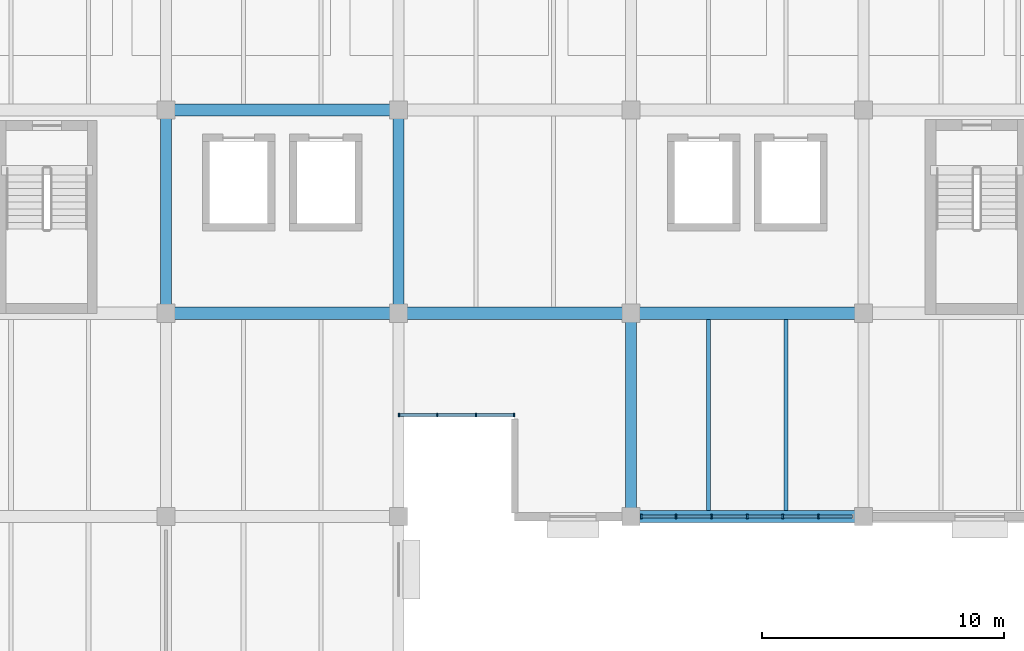
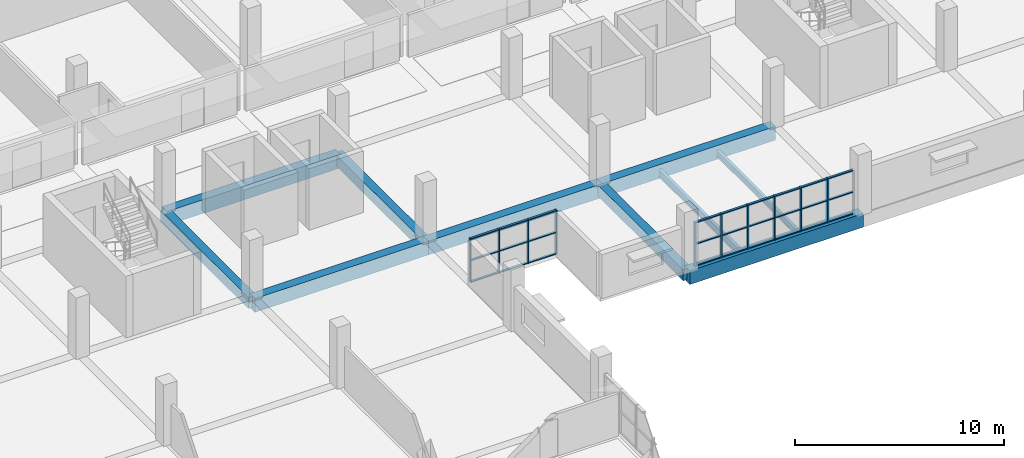
# One storey, part 80 of 147: 37 members, 10 beams, 2 elements without a shape of their own.
"""IFC4 building model written with IfcOpenShell, lengths in metres."""

from ifc_helpers import new_model, si_unit, direction, frame, origin, origin_2d, place, context, subcontext, project, spatial, rectangle, i_section, extrude, material, material_profile, profile_set, type_object, element, aggregate, save


model = new_model("IFC4")

# Units and contexts
model_context = context("Model", 3, precision=1e-05, world=origin(), true_north=direction((0.0, 1.0)))
body_context = subcontext(model_context, "Body", "Model", "MODEL_VIEW")
ifc_project = project(units=[si_unit("LENGTHUNIT", "METRE"), si_unit("AREAUNIT", "SQUARE_METRE"), si_unit("VOLUMEUNIT", "CUBIC_METRE"), si_unit("PLANEANGLEUNIT", "RADIAN"), si_unit("MASSUNIT", "GRAM", prefix="KILO")], contexts=[model_context])

# Site, building, storey
site_placement = place(None, origin())
site = spatial("IfcSite", under=ifc_project, at=site_placement, CompositionType="ELEMENT")
building_placement = place(site_placement, origin())
building = spatial("IfcBuilding", under=site, at=building_placement, Name="Oolite Switchyard Hospital", CompositionType="ELEMENT")
storey_placement = place(building_placement, frame((0.0, 0.0, 9.89990234375)))
storey = spatial("IfcBuildingStorey", under=building, at=storey_placement, Name="L02", CompositionType="ELEMENT", Elevation=9.89990234375)

# Beams
ifc_material_1 = material(Name="Concrete C40/50", Category="concrete")
ifc_material_profile_1 = material_profile(ifc_material_1, rectangle(XDim=0.449951171875, YDim=0.64990234375, at=origin_2d()), Name="RCB450X650")
ifc_profile_set_1 = profile_set([ifc_material_profile_1], Name="Concrete C40/50")
beam_type_1 = type_object("IfcBeamType", Name="BM-RC450X650", PredefinedType="BEAM", material=ifc_profile_set_1)
for number, where, z_axis, x_axis, name in (
    (1, (163.199951171875, 109.199951171875, -0.324951171875), (0.0, 1.0, 0.0), (-1.0, 0.0, 0.0), "L02 Y-Girder 1451"),
    (2, (172.800048828125, 109.199951171875, -0.324951171875), (0.0, 1.0, 0.0), (-1.0, 0.0, 0.0), "L02 Y-Girder 1462"),
):
    element("IfcBeam", number, at=place(storey_placement, frame(where, z_axis=z_axis, x_axis=x_axis)), inside=storey, type_object=beam_type_1, Name=name, PredefinedType="BEAM", context=body_context, shape_type="SweptSolid", body=[
        extrude(rectangle(XDim=0.449951171875, YDim=0.64990234375, at=origin_2d()), origin(), (0.0, 0.0, 1.0), 8.400146484375),
    ])
beam_1_placement = place(storey_placement, frame((182.39990234375, 100.800048828125, -0.324951171875), z_axis=(0.0, 1.0, 0.0), x_axis=(-1.0, 0.0, 0.0)))
element("IfcBeam", 3, at=beam_1_placement, inside=storey, type_object=beam_type_1, Name="L02 Y-Girder 1475", PredefinedType="BEAM", context=body_context, shape_type="SweptSolid", body=[
    extrude(rectangle(XDim=0.449951171875, YDim=0.64990234375, at=origin_2d()), origin(), (0.0, 0.0, 1.0), 8.39990234375),
])
ifc_material_profile_2 = material_profile(ifc_material_1, rectangle(XDim=0.5, YDim=0.800048828125, at=origin_2d()), Name="RCB500X800")
ifc_profile_set_2 = profile_set([ifc_material_profile_2], Name="Concrete C40/50")
beam_type_2 = type_object("IfcBeamType", Name="BM-RC500X800", PredefinedType="BEAM", material=ifc_profile_set_2)
for number, where, z_axis, x_axis, name in (
    (4, (182.39990234375, 100.800048828125, -0.39990234375), (1.0, 0.0, 0.0), (0.0, 1.0, 0.0), "L02 X-Girder 1178"),
    (5, (163.199951171875, 109.199951171875, -0.39990234375), (1.0, 0.0, 0.0), (0.0, 1.0, 0.0), "L02 X-Girder 1198"),
):
    element("IfcBeam", number, at=place(storey_placement, frame(where, z_axis=z_axis, x_axis=x_axis)), inside=storey, type_object=beam_type_2, Name=name, PredefinedType="BEAM", context=body_context, shape_type="SweptSolid", body=[
        extrude(rectangle(XDim=0.5, YDim=0.800048828125, at=origin_2d()), origin(), (0.0, 0.0, 1.0), 9.60009765625),
    ])
beam_2_placement = place(storey_placement, frame((172.800048828125, 109.199951171875, -0.39990234375), z_axis=(1.0, 0.0, 0.0), x_axis=(0.0, 1.0, 0.0)))
element("IfcBeam", 6, at=beam_2_placement, inside=storey, type_object=beam_type_2, Name="L02 X-Girder 1199", PredefinedType="BEAM", context=body_context, shape_type="SweptSolid", body=[
    extrude(rectangle(XDim=0.5, YDim=0.800048828125, at=origin_2d()), origin(), (0.0, 0.0, 1.0), 9.599853515625),
])
for number, where, z_axis, x_axis, name in (
    (7, (182.39990234375, 109.199951171875, -0.39990234375), (1.0, 0.0, 0.0), (0.0, 1.0, 0.0), "L02 X-Girder 1200"),
    (8, (163.199951171875, 117.60009765625, -0.39990234375), (1.0, 0.0, 0.0), (0.0, 1.0, 0.0), "L02 X-Girder 1214"),
):
    element("IfcBeam", number, at=place(storey_placement, frame(where, z_axis=z_axis, x_axis=x_axis)), inside=storey, type_object=beam_type_2, Name=name, PredefinedType="BEAM", context=body_context, shape_type="SweptSolid", body=[
        extrude(rectangle(XDim=0.5, YDim=0.800048828125, at=origin_2d()), origin(), (0.0, 0.0, 1.0), 9.60009765625),
    ])
ifc_material_2 = material(Name="Steel ASTM A992 Grade 50", Category="steel")
ifc_material_profile_3 = material_profile(ifc_material_2, i_section(OverallWidth=0.1708984375, OverallDepth=0.35107421875, WebThickness=0.007080078125, FlangeThickness=0.010009765625, at=origin_2d()), Name="W14X30")
ifc_profile_set_3 = profile_set([ifc_material_profile_3], Name="Steel ASTM A992 Grade 50")
beam_type_3 = type_object("IfcBeamType", Name="BM-W14X30", PredefinedType="JOIST", material=ifc_profile_set_3)
beam_3_placement = place(storey_placement, frame((188.800048828125, 101.050048828125, -0.434814453125), z_axis=(0.0, 1.0, 0.0), x_axis=(-1.0, 0.0, 0.0)))
element("IfcBeam", 9, at=beam_3_placement, inside=storey, type_object=beam_type_3, Name="L02 Secondary Steel Joist 1883", PredefinedType="JOIST", context=body_context, shape_type="SweptSolid", body=[
    extrude(i_section(OverallWidth=0.1708984375, OverallDepth=0.35107421875, WebThickness=0.007080078125, FlangeThickness=0.010009765625, at=origin_2d()), origin(), (0.0, 0.0, 1.0), 7.89990234375),
])
ifc_material_profile_4 = material_profile(ifc_material_2, i_section(OverallWidth=0.177978515625, OverallDepth=0.403076171875, WebThickness=0.008056640625, FlangeThickness=0.010986328125, at=origin_2d()), Name="W16X36")
ifc_profile_set_4 = profile_set([ifc_material_profile_4], Name="Steel ASTM A992 Grade 50")
beam_type_4 = type_object("IfcBeamType", Name="BM-W16X36", PredefinedType="JOIST", material=ifc_profile_set_4)
beam_4_placement = place(storey_placement, frame((185.60009765625, 101.050048828125, -0.4609375), z_axis=(0.0, 1.0, 0.0), x_axis=(-1.0, 0.0, 0.0)))
element("IfcBeam", 10, at=beam_4_placement, inside=storey, type_object=beam_type_4, Name="L02 Secondary Steel Joist 1882", PredefinedType="JOIST", context=body_context, shape_type="SweptSolid", body=[
    extrude(i_section(OverallWidth=0.177978515625, OverallDepth=0.403076171875, WebThickness=0.008056640625, FlangeThickness=0.010986328125, at=origin_2d()), origin(), (0.0, 0.0, 1.0), 7.89990234375),
])

# Curtain wall, members
ifc_material_3 = material(Name="Thermally broken aluminum frame with laminated impact glazing", Category="aluminium")
curtain_wall_type_1 = type_object("IfcCurtainWallType", Name="CW-UNIT-84X36", PredefinedType="USERDEFINED", material=ifc_material_3)
curtain_wall_1_placement = place(storey_placement, origin())
curtain_wall_1 = element("IfcCurtainWall", 11, at=curtain_wall_1_placement, inside=storey, type_object=curtain_wall_type_1, Name="L02 Unitised Curtain Wall 262", ObjectType="UNITISED", PredefinedType="USERDEFINED")
ifc_material_4 = material(Name="Aluminium 6063-T6", Category="aluminium")
ifc_material_profile_5 = material_profile(ifc_material_4, rectangle(XDim=0.159912109375, YDim=0.06005859375, at=origin_2d()), Name="CWM60X160")
ifc_profile_set_5 = profile_set([ifc_material_profile_5], Name="Aluminium 6063-T6")
member_type_1 = type_object("IfcMemberType", Name="CW-MUL-180", PredefinedType="MULLION", material=ifc_profile_set_5)
member_1_placement = place(storey_placement, frame((177.570068359375, 105.0, 0.0), z_axis=(0.0, 0.0, 1.0), x_axis=(0.0, -1.0, 0.0)))
member_1 = element("IfcMember", 12, at=member_1_placement, type_object=member_type_1, Name="CW-08 mullion 1", PredefinedType="MULLION", context=body_context, shape_type="SweptSolid", body=[
    extrude(rectangle(XDim=0.159912109375, YDim=0.06005859375, at=origin_2d()), origin(), (0.0, 0.0, 1.0), 2.570068359375),
])
member_2_placement = place(storey_placement, frame((176.0, 105.0, 0.0), z_axis=(0.0, 0.0, 1.0), x_axis=(0.0, -1.0, 0.0)))
member_2 = element("IfcMember", 13, at=member_2_placement, type_object=member_type_1, Name="CW-08 mullion 2", PredefinedType="MULLION", context=body_context, shape_type="SweptSolid", body=[
    extrude(rectangle(XDim=0.159912109375, YDim=0.06005859375, at=origin_2d()), origin(), (0.0, 0.0, 1.0), 2.570068359375),
])
member_3_placement = place(storey_placement, frame((174.39990234375, 105.0, 0.0), z_axis=(0.0, 0.0, 1.0), x_axis=(0.0, -1.0, 0.0)))
member_3 = element("IfcMember", 14, at=member_3_placement, type_object=member_type_1, Name="CW-08 mullion 3", PredefinedType="MULLION", context=body_context, shape_type="SweptSolid", body=[
    extrude(rectangle(XDim=0.159912109375, YDim=0.06005859375, at=origin_2d()), origin(), (0.0, 0.0, 1.0), 2.570068359375),
])
member_4_placement = place(storey_placement, frame((172.830078125, 105.0, 0.0), z_axis=(0.0, 0.0, 1.0), x_axis=(0.0, -1.0, 0.0)))
member_4 = element("IfcMember", 15, at=member_4_placement, type_object=member_type_1, Name="CW-08 mullion 4", PredefinedType="MULLION", context=body_context, shape_type="SweptSolid", body=[
    extrude(rectangle(XDim=0.159912109375, YDim=0.06005859375, at=origin_2d()), origin(), (0.0, 0.0, 1.0), 2.570068359375),
])

curtain_wall_type_2 = type_object("IfcCurtainWallType", Name="CW-UNIT-96X36", PredefinedType="USERDEFINED", material=ifc_material_3)
curtain_wall_2_placement = place(storey_placement, origin())
curtain_wall_2 = element("IfcCurtainWall", 16, at=curtain_wall_2_placement, inside=storey, type_object=curtain_wall_type_2, Name="L02 Unitised Curtain Wall 260", ObjectType="UNITISED", PredefinedType="USERDEFINED")
ifc_material_profile_6 = material_profile(ifc_material_4, rectangle(XDim=0.179931640625, YDim=0.070068359375, at=origin_2d()), Name="CWM70X180")
ifc_profile_set_6 = profile_set([ifc_material_profile_6], Name="Aluminium 6063-T6")
member_type_2 = type_object("IfcMemberType", Name="CW-MUL-220", PredefinedType="MULLION", material=ifc_profile_set_6)
member_5_placement = place(storey_placement, frame((190.139892578125, 100.800048828125, 0.0), z_axis=(0.0, 0.0, 1.0), x_axis=(0.0, -1.0, 0.0)))
member_5 = element("IfcMember", 17, at=member_5_placement, type_object=member_type_2, Name="CW-03 mullion 2", PredefinedType="MULLION", context=body_context, shape_type="SweptSolid", body=[
    extrude(rectangle(XDim=0.179931640625, YDim=0.070068359375, at=origin_2d()), origin(), (0.0, 0.0, 1.0), 2.570068359375),
])
member_6_placement = place(storey_placement, frame((188.669921875, 100.800048828125, 0.0), z_axis=(0.0, 0.0, 1.0), x_axis=(0.0, -1.0, 0.0)))
member_6 = element("IfcMember", 18, at=member_6_placement, type_object=member_type_2, Name="CW-03 mullion 3", PredefinedType="MULLION", context=body_context, shape_type="SweptSolid", body=[
    extrude(rectangle(XDim=0.179931640625, YDim=0.070068359375, at=origin_2d()), origin(), (0.0, 0.0, 1.0), 2.570068359375),
])
member_7_placement = place(storey_placement, frame((187.199951171875, 100.800048828125, 0.0), z_axis=(0.0, 0.0, 1.0), x_axis=(0.0, -1.0, 0.0)))
member_7 = element("IfcMember", 19, at=member_7_placement, type_object=member_type_2, Name="CW-03 mullion 4", PredefinedType="MULLION", context=body_context, shape_type="SweptSolid", body=[
    extrude(rectangle(XDim=0.179931640625, YDim=0.070068359375, at=origin_2d()), origin(), (0.0, 0.0, 1.0), 2.570068359375),
])
member_8_placement = place(storey_placement, frame((185.72998046875, 100.800048828125, 0.0), z_axis=(0.0, 0.0, 1.0), x_axis=(0.0, -1.0, 0.0)))
member_8 = element("IfcMember", 20, at=member_8_placement, type_object=member_type_2, Name="CW-03 mullion 5", PredefinedType="MULLION", context=body_context, shape_type="SweptSolid", body=[
    extrude(rectangle(XDim=0.179931640625, YDim=0.070068359375, at=origin_2d()), origin(), (0.0, 0.0, 1.0), 2.570068359375),
])
member_9_placement = place(storey_placement, frame((184.260009765625, 100.800048828125, 0.0), z_axis=(0.0, 0.0, 1.0), x_axis=(0.0, -1.0, 0.0)))
member_9 = element("IfcMember", 21, at=member_9_placement, type_object=member_type_2, Name="CW-03 mullion 6", PredefinedType="MULLION", context=body_context, shape_type="SweptSolid", body=[
    extrude(rectangle(XDim=0.179931640625, YDim=0.070068359375, at=origin_2d()), origin(), (0.0, 0.0, 1.0), 2.570068359375),
])
member_10_placement = place(storey_placement, frame((182.824951171875, 100.800048828125, 0.0), z_axis=(0.0, 0.0, 1.0), x_axis=(0.0, -1.0, 0.0)))
member_10 = element("IfcMember", 22, at=member_10_placement, type_object=member_type_2, Name="CW-03 mullion 7", PredefinedType="MULLION", context=body_context, shape_type="SweptSolid", body=[
    extrude(rectangle(XDim=0.179931640625, YDim=0.070068359375, at=origin_2d()), origin(), (0.0, 0.0, 1.0), 2.570068359375),
])
ifc_material_profile_7 = material_profile(ifc_material_4, rectangle(XDim=0.1201171875, YDim=0.06005859375, at=origin_2d()), Name="CWT60X120")
ifc_profile_set_7 = profile_set([ifc_material_profile_7], Name="Aluminium 6063-T6")
member_type_3 = type_object("IfcMemberType", Name="CW-TRN-150", PredefinedType="USERDEFINED", material=ifc_profile_set_7)
member_11_placement = place(storey_placement, frame((191.5400390625, 100.800048828125, 0.030029296875), z_axis=(-1.0, 0.0, 0.0), x_axis=(0.0, -1.0, 0.0)))
member_11 = element("IfcMember", 23, at=member_11_placement, type_object=member_type_3, Name="CW-03 transom 1.1", ObjectType="TRANSOM", PredefinedType="USERDEFINED", context=body_context, shape_type="SweptSolid", body=[
    extrude(rectangle(XDim=0.1201171875, YDim=0.06005859375, at=origin_2d()), origin(), (0.0, 0.0, 1.0), 1.364990234375),
])
member_12_placement = place(storey_placement, frame((191.5400390625, 100.800048828125, 1.28515625), z_axis=(-1.0, 0.0, 0.0), x_axis=(0.0, -1.0, 0.0)))
member_12 = element("IfcMember", 24, at=member_12_placement, type_object=member_type_3, Name="CW-03 transom 1.2", ObjectType="TRANSOM", PredefinedType="USERDEFINED", context=body_context, shape_type="SweptSolid", body=[
    extrude(rectangle(XDim=0.1201171875, YDim=0.06005859375, at=origin_2d()), origin(), (0.0, 0.0, 1.0), 1.364990234375),
])
member_13_placement = place(storey_placement, frame((191.5400390625, 100.800048828125, 2.5400390625), z_axis=(-1.0, 0.0, 0.0), x_axis=(0.0, -1.0, 0.0)))
member_13 = element("IfcMember", 25, at=member_13_placement, type_object=member_type_3, Name="CW-03 transom 1.3", ObjectType="TRANSOM", PredefinedType="USERDEFINED", context=body_context, shape_type="SweptSolid", body=[
    extrude(rectangle(XDim=0.1201171875, YDim=0.06005859375, at=origin_2d()), origin(), (0.0, 0.0, 1.0), 1.364990234375),
])
member_14_placement = place(storey_placement, frame((190.10498046875, 100.800048828125, 0.030029296875), z_axis=(-1.0, 0.0, 0.0), x_axis=(0.0, -1.0, 0.0)))
member_14 = element("IfcMember", 26, at=member_14_placement, type_object=member_type_3, Name="CW-03 transom 2.1", ObjectType="TRANSOM", PredefinedType="USERDEFINED", context=body_context, shape_type="SweptSolid", body=[
    extrude(rectangle(XDim=0.1201171875, YDim=0.06005859375, at=origin_2d()), origin(), (0.0, 0.0, 1.0), 1.39990234375),
])
member_15_placement = place(storey_placement, frame((190.10498046875, 100.800048828125, 1.28515625), z_axis=(-1.0, 0.0, 0.0), x_axis=(0.0, -1.0, 0.0)))
member_15 = element("IfcMember", 27, at=member_15_placement, type_object=member_type_3, Name="CW-03 transom 2.2", ObjectType="TRANSOM", PredefinedType="USERDEFINED", context=body_context, shape_type="SweptSolid", body=[
    extrude(rectangle(XDim=0.1201171875, YDim=0.06005859375, at=origin_2d()), origin(), (0.0, 0.0, 1.0), 1.39990234375),
])
member_16_placement = place(storey_placement, frame((190.10498046875, 100.800048828125, 2.5400390625), z_axis=(-1.0, 0.0, 0.0), x_axis=(0.0, -1.0, 0.0)))
member_16 = element("IfcMember", 28, at=member_16_placement, type_object=member_type_3, Name="CW-03 transom 2.3", ObjectType="TRANSOM", PredefinedType="USERDEFINED", context=body_context, shape_type="SweptSolid", body=[
    extrude(rectangle(XDim=0.1201171875, YDim=0.06005859375, at=origin_2d()), origin(), (0.0, 0.0, 1.0), 1.39990234375),
])
member_17_placement = place(storey_placement, frame((188.635009765625, 100.800048828125, 0.030029296875), z_axis=(-1.0, 0.0, 0.0), x_axis=(0.0, -1.0, 0.0)))
member_17 = element("IfcMember", 29, at=member_17_placement, type_object=member_type_3, Name="CW-03 transom 3.1", ObjectType="TRANSOM", PredefinedType="USERDEFINED", context=body_context, shape_type="SweptSolid", body=[
    extrude(rectangle(XDim=0.1201171875, YDim=0.06005859375, at=origin_2d()), origin(), (0.0, 0.0, 1.0), 1.39990234375),
])
member_18_placement = place(storey_placement, frame((188.635009765625, 100.800048828125, 1.28515625), z_axis=(-1.0, 0.0, 0.0), x_axis=(0.0, -1.0, 0.0)))
member_18 = element("IfcMember", 30, at=member_18_placement, type_object=member_type_3, Name="CW-03 transom 3.2", ObjectType="TRANSOM", PredefinedType="USERDEFINED", context=body_context, shape_type="SweptSolid", body=[
    extrude(rectangle(XDim=0.1201171875, YDim=0.06005859375, at=origin_2d()), origin(), (0.0, 0.0, 1.0), 1.39990234375),
])
member_19_placement = place(storey_placement, frame((188.635009765625, 100.800048828125, 2.5400390625), z_axis=(-1.0, 0.0, 0.0), x_axis=(0.0, -1.0, 0.0)))
member_19 = element("IfcMember", 31, at=member_19_placement, type_object=member_type_3, Name="CW-03 transom 3.3", ObjectType="TRANSOM", PredefinedType="USERDEFINED", context=body_context, shape_type="SweptSolid", body=[
    extrude(rectangle(XDim=0.1201171875, YDim=0.06005859375, at=origin_2d()), origin(), (0.0, 0.0, 1.0), 1.39990234375),
])
member_20_placement = place(storey_placement, frame((187.1650390625, 100.800048828125, 0.030029296875), z_axis=(-1.0, 0.0, 0.0), x_axis=(0.0, -1.0, 0.0)))
member_20 = element("IfcMember", 32, at=member_20_placement, type_object=member_type_3, Name="CW-03 transom 4.1", ObjectType="TRANSOM", PredefinedType="USERDEFINED", context=body_context, shape_type="SweptSolid", body=[
    extrude(rectangle(XDim=0.1201171875, YDim=0.06005859375, at=origin_2d()), origin(), (0.0, 0.0, 1.0), 1.400146484375),
])
member_21_placement = place(storey_placement, frame((187.1650390625, 100.800048828125, 1.28515625), z_axis=(-1.0, 0.0, 0.0), x_axis=(0.0, -1.0, 0.0)))
member_21 = element("IfcMember", 33, at=member_21_placement, type_object=member_type_3, Name="CW-03 transom 4.2", ObjectType="TRANSOM", PredefinedType="USERDEFINED", context=body_context, shape_type="SweptSolid", body=[
    extrude(rectangle(XDim=0.1201171875, YDim=0.06005859375, at=origin_2d()), origin(), (0.0, 0.0, 1.0), 1.400146484375),
])
member_22_placement = place(storey_placement, frame((187.1650390625, 100.800048828125, 2.5400390625), z_axis=(-1.0, 0.0, 0.0), x_axis=(0.0, -1.0, 0.0)))
member_22 = element("IfcMember", 34, at=member_22_placement, type_object=member_type_3, Name="CW-03 transom 4.3", ObjectType="TRANSOM", PredefinedType="USERDEFINED", context=body_context, shape_type="SweptSolid", body=[
    extrude(rectangle(XDim=0.1201171875, YDim=0.06005859375, at=origin_2d()), origin(), (0.0, 0.0, 1.0), 1.400146484375),
])
member_23_placement = place(storey_placement, frame((185.695068359375, 100.800048828125, 0.030029296875), z_axis=(-1.0, 0.0, 0.0), x_axis=(0.0, -1.0, 0.0)))
member_23 = element("IfcMember", 35, at=member_23_placement, type_object=member_type_3, Name="CW-03 transom 5.1", ObjectType="TRANSOM", PredefinedType="USERDEFINED", context=body_context, shape_type="SweptSolid", body=[
    extrude(rectangle(XDim=0.1201171875, YDim=0.06005859375, at=origin_2d()), origin(), (0.0, 0.0, 1.0), 1.400146484375),
])
member_24_placement = place(storey_placement, frame((185.695068359375, 100.800048828125, 1.28515625), z_axis=(-1.0, 0.0, 0.0), x_axis=(0.0, -1.0, 0.0)))
member_24 = element("IfcMember", 36, at=member_24_placement, type_object=member_type_3, Name="CW-03 transom 5.2", ObjectType="TRANSOM", PredefinedType="USERDEFINED", context=body_context, shape_type="SweptSolid", body=[
    extrude(rectangle(XDim=0.1201171875, YDim=0.06005859375, at=origin_2d()), origin(), (0.0, 0.0, 1.0), 1.400146484375),
])
member_25_placement = place(storey_placement, frame((185.695068359375, 100.800048828125, 2.5400390625), z_axis=(-1.0, 0.0, 0.0), x_axis=(0.0, -1.0, 0.0)))
member_25 = element("IfcMember", 37, at=member_25_placement, type_object=member_type_3, Name="CW-03 transom 5.3", ObjectType="TRANSOM", PredefinedType="USERDEFINED", context=body_context, shape_type="SweptSolid", body=[
    extrude(rectangle(XDim=0.1201171875, YDim=0.06005859375, at=origin_2d()), origin(), (0.0, 0.0, 1.0), 1.400146484375),
])
member_26_placement = place(storey_placement, frame((184.22509765625, 100.800048828125, 0.030029296875), z_axis=(-1.0, 0.0, 0.0), x_axis=(0.0, -1.0, 0.0)))
member_26 = element("IfcMember", 38, at=member_26_placement, type_object=member_type_3, Name="CW-03 transom 6.1", ObjectType="TRANSOM", PredefinedType="USERDEFINED", context=body_context, shape_type="SweptSolid", body=[
    extrude(rectangle(XDim=0.1201171875, YDim=0.06005859375, at=origin_2d()), origin(), (0.0, 0.0, 1.0), 1.364990234375),
])
member_27_placement = place(storey_placement, frame((184.22509765625, 100.800048828125, 1.28515625), z_axis=(-1.0, 0.0, 0.0), x_axis=(0.0, -1.0, 0.0)))
member_27 = element("IfcMember", 39, at=member_27_placement, type_object=member_type_3, Name="CW-03 transom 6.2", ObjectType="TRANSOM", PredefinedType="USERDEFINED", context=body_context, shape_type="SweptSolid", body=[
    extrude(rectangle(XDim=0.1201171875, YDim=0.06005859375, at=origin_2d()), origin(), (0.0, 0.0, 1.0), 1.364990234375),
])
member_28_placement = place(storey_placement, frame((184.22509765625, 100.800048828125, 2.5400390625), z_axis=(-1.0, 0.0, 0.0), x_axis=(0.0, -1.0, 0.0)))
member_28 = element("IfcMember", 40, at=member_28_placement, type_object=member_type_3, Name="CW-03 transom 6.3", ObjectType="TRANSOM", PredefinedType="USERDEFINED", context=body_context, shape_type="SweptSolid", body=[
    extrude(rectangle(XDim=0.1201171875, YDim=0.06005859375, at=origin_2d()), origin(), (0.0, 0.0, 1.0), 1.364990234375),
])
aggregate(curtain_wall_2, [member_5, member_6, member_7, member_8, member_9, member_10, member_11, member_12, member_13, member_14, member_15, member_16, member_17, member_18, member_19, member_20, member_21, member_22, member_23, member_24, member_25, member_26, member_27, member_28])

# Member
member_29_placement = place(storey_placement, frame((177.5400390625, 105.0, 0.030029296875), z_axis=(-1.0, 0.0, 0.0), x_axis=(0.0, -1.0, 0.0)))
member_29 = element("IfcMember", 41, at=member_29_placement, type_object=member_type_3, Name="CW-08 transom 1.1", ObjectType="TRANSOM", PredefinedType="USERDEFINED", context=body_context, shape_type="SweptSolid", body=[
    extrude(rectangle(XDim=0.1201171875, YDim=0.06005859375, at=origin_2d()), origin(), (0.0, 0.0, 1.0), 1.510009765625),
])

member_30_placement = place(storey_placement, frame((177.5400390625, 105.0, 1.28515625), z_axis=(-1.0, 0.0, 0.0), x_axis=(0.0, -1.0, 0.0)))
member_30 = element("IfcMember", 42, at=member_30_placement, type_object=member_type_3, Name="CW-08 transom 1.2", ObjectType="TRANSOM", PredefinedType="USERDEFINED", context=body_context, shape_type="SweptSolid", body=[
    extrude(rectangle(XDim=0.1201171875, YDim=0.06005859375, at=origin_2d()), origin(), (0.0, 0.0, 1.0), 1.510009765625),
])

member_31_placement = place(storey_placement, frame((177.5400390625, 105.0, 2.5400390625), z_axis=(-1.0, 0.0, 0.0), x_axis=(0.0, -1.0, 0.0)))
member_31 = element("IfcMember", 43, at=member_31_placement, type_object=member_type_3, Name="CW-08 transom 1.3", ObjectType="TRANSOM", PredefinedType="USERDEFINED", context=body_context, shape_type="SweptSolid", body=[
    extrude(rectangle(XDim=0.1201171875, YDim=0.06005859375, at=origin_2d()), origin(), (0.0, 0.0, 1.0), 1.510009765625),
])

member_32_placement = place(storey_placement, frame((175.969970703125, 105.0, 0.030029296875), z_axis=(-1.0, 0.0, 0.0), x_axis=(0.0, -1.0, 0.0)))
member_32 = element("IfcMember", 44, at=member_32_placement, type_object=member_type_3, Name="CW-08 transom 2.1", ObjectType="TRANSOM", PredefinedType="USERDEFINED", context=body_context, shape_type="SweptSolid", body=[
    extrude(rectangle(XDim=0.1201171875, YDim=0.06005859375, at=origin_2d()), origin(), (0.0, 0.0, 1.0), 1.5400390625),
])

member_33_placement = place(storey_placement, frame((175.969970703125, 105.0, 1.28515625), z_axis=(-1.0, 0.0, 0.0), x_axis=(0.0, -1.0, 0.0)))
member_33 = element("IfcMember", 45, at=member_33_placement, type_object=member_type_3, Name="CW-08 transom 2.2", ObjectType="TRANSOM", PredefinedType="USERDEFINED", context=body_context, shape_type="SweptSolid", body=[
    extrude(rectangle(XDim=0.1201171875, YDim=0.06005859375, at=origin_2d()), origin(), (0.0, 0.0, 1.0), 1.5400390625),
])

member_34_placement = place(storey_placement, frame((175.969970703125, 105.0, 2.5400390625), z_axis=(-1.0, 0.0, 0.0), x_axis=(0.0, -1.0, 0.0)))
member_34 = element("IfcMember", 46, at=member_34_placement, type_object=member_type_3, Name="CW-08 transom 2.3", ObjectType="TRANSOM", PredefinedType="USERDEFINED", context=body_context, shape_type="SweptSolid", body=[
    extrude(rectangle(XDim=0.1201171875, YDim=0.06005859375, at=origin_2d()), origin(), (0.0, 0.0, 1.0), 1.5400390625),
])

member_35_placement = place(storey_placement, frame((174.3701171875, 105.0, 0.030029296875), z_axis=(-1.0, 0.0, 0.0), x_axis=(0.0, -1.0, 0.0)))
member_35 = element("IfcMember", 47, at=member_35_placement, type_object=member_type_3, Name="CW-08 transom 3.1", ObjectType="TRANSOM", PredefinedType="USERDEFINED", context=body_context, shape_type="SweptSolid", body=[
    extrude(rectangle(XDim=0.1201171875, YDim=0.06005859375, at=origin_2d()), origin(), (0.0, 0.0, 1.0), 1.510009765625),
])

member_36_placement = place(storey_placement, frame((174.3701171875, 105.0, 1.28515625), z_axis=(-1.0, 0.0, 0.0), x_axis=(0.0, -1.0, 0.0)))
member_36 = element("IfcMember", 48, at=member_36_placement, type_object=member_type_3, Name="CW-08 transom 3.2", ObjectType="TRANSOM", PredefinedType="USERDEFINED", context=body_context, shape_type="SweptSolid", body=[
    extrude(rectangle(XDim=0.1201171875, YDim=0.06005859375, at=origin_2d()), origin(), (0.0, 0.0, 1.0), 1.510009765625),
])

member_37_placement = place(storey_placement, frame((174.3701171875, 105.0, 2.5400390625), z_axis=(-1.0, 0.0, 0.0), x_axis=(0.0, -1.0, 0.0)))
member_37 = element("IfcMember", 49, at=member_37_placement, type_object=member_type_3, Name="CW-08 transom 3.3", ObjectType="TRANSOM", PredefinedType="USERDEFINED", context=body_context, shape_type="SweptSolid", body=[
    extrude(rectangle(XDim=0.1201171875, YDim=0.06005859375, at=origin_2d()), origin(), (0.0, 0.0, 1.0), 1.510009765625),
])

aggregate(curtain_wall_1, [member_1, member_2, member_3, member_4, member_29, member_30, member_31, member_32, member_33, member_34, member_35, member_36, member_37])

save(model, "model.ifc")
